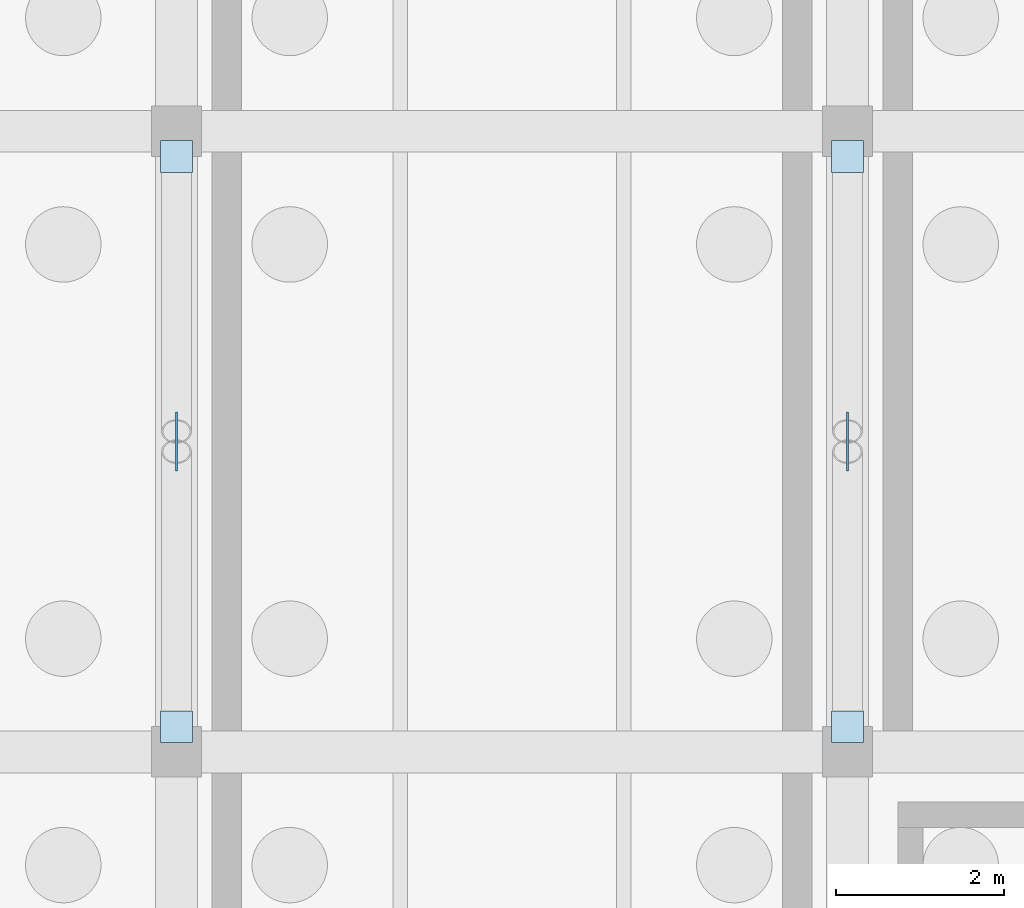
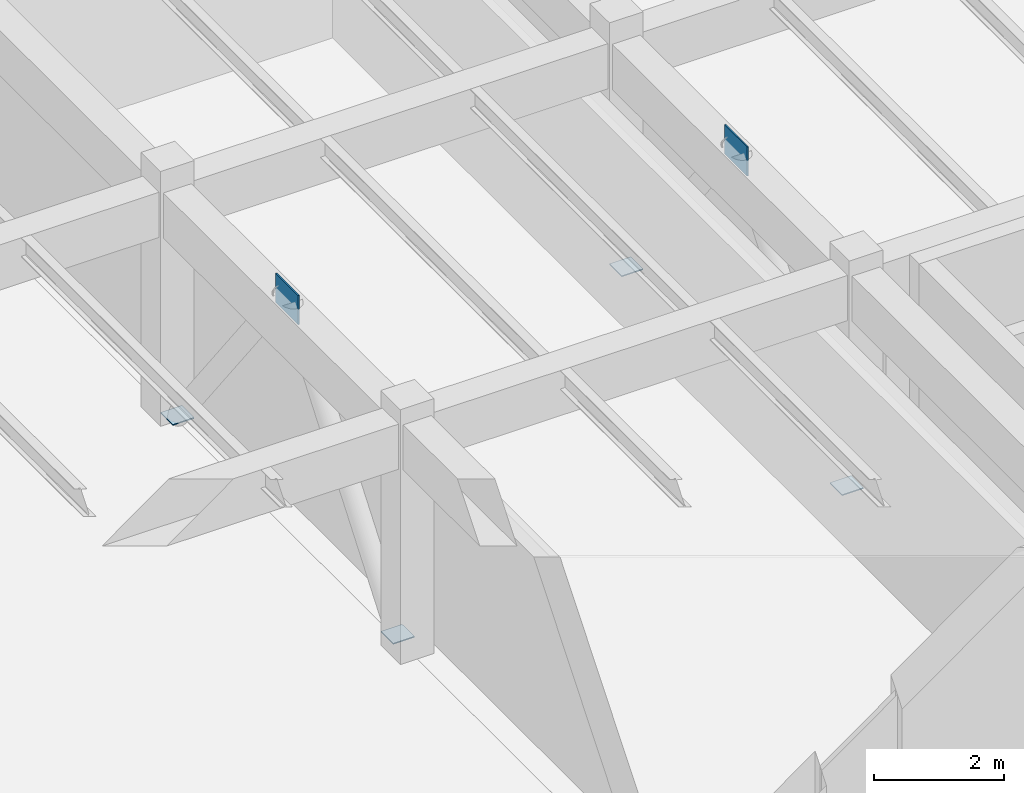
# One storey, part 18 of 40: 6 plates.
"""IFC4 building model written with IfcOpenShell, lengths in metres."""

from ifc_helpers import new_model, si_unit, direction, frame, origin, origin_2d, place, context, subcontext, project, spatial, rectangle, extrude, material, layer, layer_set, type_object, element, save


model = new_model("IFC4")

# Units and contexts
model_context = context("Model", 3, precision=1e-05, world=origin(), true_north=direction((0.0, 1.0)))
body_context = subcontext(model_context, "Body", "Model", "MODEL_VIEW")
ifc_project = project(units=[si_unit("LENGTHUNIT", "METRE"), si_unit("AREAUNIT", "SQUARE_METRE"), si_unit("VOLUMEUNIT", "CUBIC_METRE"), si_unit("PLANEANGLEUNIT", "RADIAN"), si_unit("MASSUNIT", "GRAM", prefix="KILO")], contexts=[model_context])

# Site, building, storey
site_placement = place(None, origin())
site = spatial("IfcSite", under=ifc_project, at=site_placement, CompositionType="ELEMENT")
building_placement = place(site_placement, origin())
building = spatial("IfcBuilding", under=site, at=building_placement, Name="Valkorina Park Police Headquarters", CompositionType="ELEMENT")
storey_placement = place(building_placement, frame((0.0, 0.0, -4.800048828125)))
storey = spatial("IfcBuildingStorey", under=building, at=storey_placement, Name="B01", CompositionType="ELEMENT", Elevation=-4.800048828125)

# Plates
ifc_material = material(Name="Steel S355", Category="steel")
ifc_layer_1 = layer(ifc_material, 0.02001953125)
ifc_layer_set_1 = layer_set([ifc_layer_1], Name="Steel S355")
plate_type_1 = type_object("IfcPlateType", Name="PL-ENDCAP-20", PredefinedType="USERDEFINED", material=ifc_layer_set_1)
for number, where, z_axis, x_axis, name in (
    (1, (104.800048828125, 74.300048828125, 0.090087890625), (0.0, 0.0, 1.0), (1.0, 0.0, 0.0), "Brace Base End Cap Plate 220"),
    (2, (104.800048828125, 81.10009765625, 0.090087890625), (0.0, 0.0, 1.0), (1.0, 0.0, 0.0), "Brace Base End Cap Plate 221"),
    (3, (112.800048828125, 74.300048828125, 0.090087890625), (0.0, 0.0, 1.0), (1.0, 0.0, 0.0), "Brace Base End Cap Plate 235"),
    (4, (112.800048828125, 81.10009765625, 0.090087890625), (0.0, 0.0, 1.0), (1.0, 0.0, 0.0), "Brace Base End Cap Plate 236"),
):
    element("IfcPlate", number, at=place(storey_placement, frame(where, z_axis=z_axis, x_axis=x_axis)), inside=storey, type_object=plate_type_1, Name=name, ObjectType="END CAP PLATE", PredefinedType="USERDEFINED", context=body_context, shape_type="SweptSolid", body=[
        extrude(rectangle(XDim=0.3798828125, YDim=0.3798828125, at=origin_2d()), origin(), (0.0, 0.0, 1.0), 0.02001953125),
    ])
ifc_layer_2 = layer(ifc_material, 0.02392578125)
ifc_layer_set_2 = layer_set([ifc_layer_2], Name="Steel S355")
plate_type_2 = type_object("IfcPlateType", Name="PL-GUSSET-24", PredefinedType="USERDEFINED", material=ifc_layer_set_2)
for number, where, z_axis, x_axis, name in (
    (5, (104.800048828125, 77.699951171875, 4.0849609375), (0.0, 0.0, 1.0), (1.0, 0.0, 0.0), "Chevron Apex Gusset Plate CBF-18 222"),
    (6, (112.800048828125, 77.699951171875, 4.0849609375), (0.0, 0.0, 1.0), (1.0, 0.0, 0.0), "Chevron Apex Gusset Plate CBF-28 237"),
):
    element("IfcPlate", number, at=place(storey_placement, frame(where, z_axis=z_axis, x_axis=x_axis)), inside=storey, type_object=plate_type_2, Name=name, ObjectType="GUSSET PLATE", PredefinedType="USERDEFINED", context=body_context, shape_type="SweptSolid", body=[
        extrude(rectangle(XDim=0.02392578125, YDim=0.699951171875, at=origin_2d()), origin(), (0.0, 0.0, 1.0), 0.550048828125),
    ])

save(model, "model.ifc")
